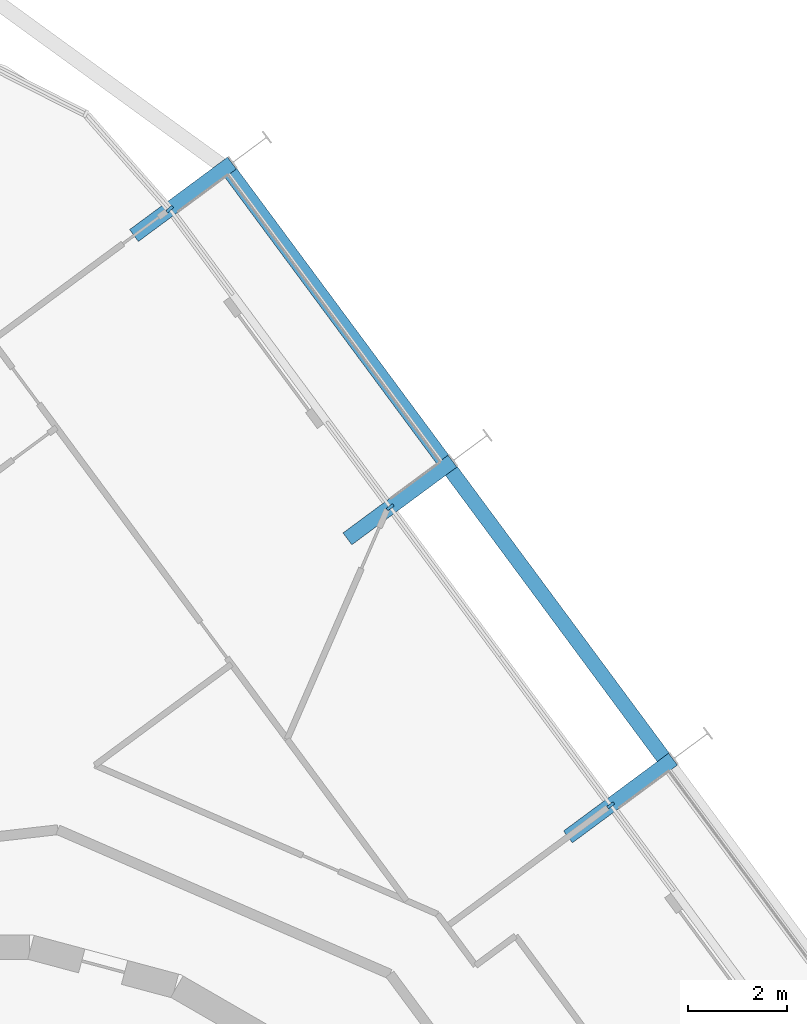
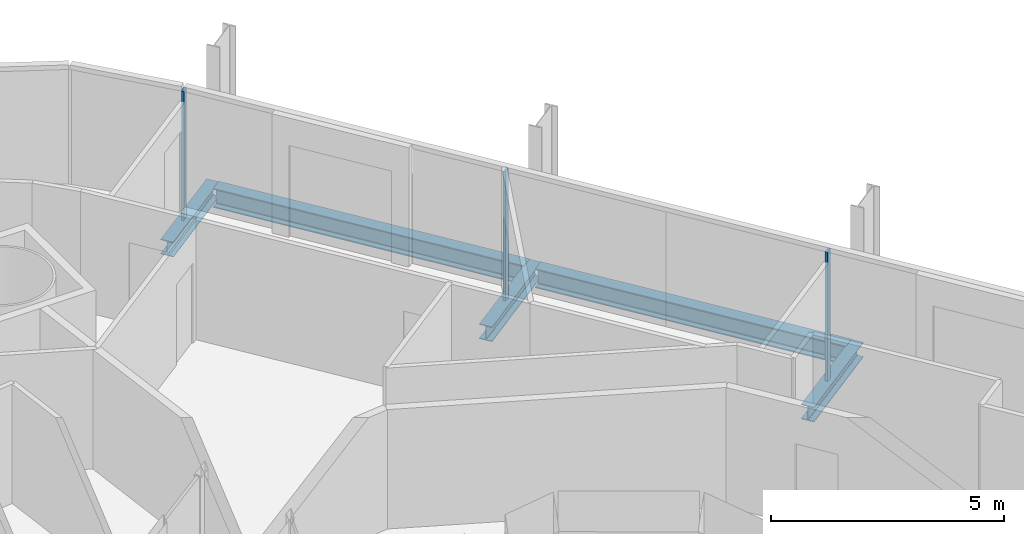
# One storey, part 11 of 24: 5 beams, 3 members, 2 elements without a shape of their own.
"""IFC4 building model written with IfcOpenShell, lengths in metres."""

import ifcopenshell
import ifcopenshell.guid

model = None  # the IFC model being written
_history = None  # IfcOwnerHistory: only IFC2X3 demands one
_inside = {}  # id of a spatial element -> (the spatial element, [elements in it])
_under = {}  # id of a project, library or spatial element -> (it, [spatial elements below it])
_declared = {}  # id of a project -> (the project, [libraries it declares])
_typed = {}  # id of a type object -> (the type object, [elements of that type])
_made_of = {}  # id of a material, layer set ... -> (it, [elements and type objects made of it])


def new_model(schema):
    """Start an empty IFC model of exactly this schema.

    Asked for "IFC4X3", IfcOpenShell would pick the latest addendum, in which some entities
    have other attributes; the version numbers below select the first issue.
    IFC2X3 requires an IfcOwnerHistory on every rooted entity: one is made here for all.
    """
    global model, _history
    if schema == "IFC4X3":
        model = ifcopenshell.file(schema_version=(4, 3, 0, 0))
    else:
        model = ifcopenshell.file(schema=schema)
    _inside.clear()
    _under.clear()
    _declared.clear()
    _typed.clear()
    _made_of.clear()
    _history = None
    if model.schema == "IFC2X3":
        org = make("IfcOrganization", Name="unknown")
        user = make(
            "IfcPersonAndOrganization",
            ThePerson=make("IfcPerson", FamilyName="unknown"),
            TheOrganization=org,
        )
        app = make(
            "IfcApplication",
            ApplicationDeveloper=org,
            Version="unknown",
            ApplicationFullName="unknown",
            ApplicationIdentifier="unknown",
        )
        _history = make(
            "IfcOwnerHistory",
            OwningUser=user,
            OwningApplication=app,
            ChangeAction="ADDED",
            CreationDate=0,
        )
    return model


def make(cls, **values):
    """One entity of the class cls with the attributes given. An attribute that is None is left unset."""
    return model.create_entity(
        cls, **{name: value for name, value in values.items() if value is not None}
    )


def rooted(cls, **values):
    """An entity with a GlobalId (a new one), such as an element, a storey or a relation."""
    return make(cls, GlobalId=ifcopenshell.guid.new(), OwnerHistory=_history, **values)


def si_unit(unit_type, name, prefix=None):
    """IfcSIUnit, for example si_unit("LENGTHUNIT", "METRE", prefix="MILLI")."""
    return make("IfcSIUnit", UnitType=unit_type, Prefix=prefix, Name=name)


def assignment(units):
    """IfcUnitAssignment: the units of a project."""
    return None if units is None else make("IfcUnitAssignment", Units=units)


def point(xyz):
    """IfcCartesianPoint."""
    return None if xyz is None else make("IfcCartesianPoint", Coordinates=xyz)


def direction(xyz):
    """IfcDirection."""
    return None if xyz is None else make("IfcDirection", DirectionRatios=xyz)


def frame(location, z_axis=None, x_axis=None):
    """IfcAxis2Placement3D, a coordinate frame: its origin and axes. An axis left out is left unset."""
    return make(
        "IfcAxis2Placement3D",
        Location=point(location),
        Axis=direction(z_axis),
        RefDirection=direction(x_axis),
    )


def frame_2d(location, x_axis=None):
    """IfcAxis2Placement2D, a coordinate frame in the plane: its origin and x axis."""
    return make(
        "IfcAxis2Placement2D", Location=point(location), RefDirection=direction(x_axis)
    )


def origin():
    """The frame at (0, 0, 0) with its axes left unset."""
    return frame((0.0, 0.0, 0.0))


def origin_2d():
    """The frame at (0, 0) in the plane with its x axis left unset."""
    return frame_2d((0.0, 0.0))


def place(relative_to, where):
    """IfcLocalPlacement: puts the frame where relative to a parent placement (None: the world)."""
    return make(
        "IfcLocalPlacement", PlacementRelTo=relative_to, RelativePlacement=where
    )


def context(
    kind, dimensions, precision=None, world=None, true_north=None, identifier=None
):
    """IfcGeometricRepresentationContext, for example the 3D "Model" context."""
    return make(
        "IfcGeometricRepresentationContext",
        ContextIdentifier=identifier,
        ContextType=kind,
        CoordinateSpaceDimension=dimensions,
        Precision=precision,
        WorldCoordinateSystem=world,
        TrueNorth=true_north,
    )


def subcontext(parent, identifier, kind, view, scale=None):
    """IfcGeometricRepresentationSubContext, for example "Body" below "Model"."""
    return make(
        "IfcGeometricRepresentationSubContext",
        ContextIdentifier=identifier,
        ContextType=kind,
        ParentContext=parent,
        TargetScale=scale,
        TargetView=view,
    )


def project(units=None, contexts=None):
    """IfcProject with its units and contexts."""
    return rooted(
        "IfcProject",
        Name="project",
        RepresentationContexts=contexts,
        UnitsInContext=assignment(units),
    )


def spatial(cls, under=None, at=None, **own):
    """A site, building, storey or space (cls), placed at a placement, below another one or the project."""
    s = rooted(cls, ObjectPlacement=at, **own)
    if under is not None:
        _under.setdefault(under.id(), (under, []))[1].append(s)
    return s


def profile(cls, at=None, kind="AREA", **sizes):
    """A parametric profile (cls). Its sizes go by their IFC names, for example OverallWidth=200.0."""
    return make(cls, ProfileType=kind, Position=at, **sizes)


def rectangle(**sizes):
    """IfcRectangleProfileDef."""
    return profile("IfcRectangleProfileDef", **sizes)


def i_section(**sizes):
    """IfcIShapeProfileDef."""
    return profile("IfcIShapeProfileDef", **sizes)


def extrude(swept, where, along, depth):
    """IfcExtrudedAreaSolid: the profile swept, set in the frame where, extruded along a direction by depth."""
    return make(
        "IfcExtrudedAreaSolid",
        SweptArea=swept,
        Position=where,
        ExtrudedDirection=direction(along),
        Depth=depth,
    )


def shape(context_of_items, identifier, shape_type, items):
    """IfcShapeRepresentation: the items that make up one representation, for example the "Body"."""
    return make(
        "IfcShapeRepresentation",
        ContextOfItems=context_of_items,
        RepresentationIdentifier=identifier,
        RepresentationType=shape_type,
        Items=items,
    )


def material(Name=None, Category=None):
    """IfcMaterial."""
    return make("IfcMaterial", Name=Name, Category=Category)


def layer(
    of_material, thickness, ventilated=None, Name=None, Category=None, Priority=None
):
    """IfcMaterialLayer: one layer of a wall or slab, of a material (None: an air gap)."""
    return make(
        "IfcMaterialLayer",
        Material=of_material,
        LayerThickness=thickness,
        IsVentilated=ventilated,
        Name=Name,
        Category=Category,
        Priority=Priority,
    )


def layer_set(layers, Name=None):
    """IfcMaterialLayerSet."""
    return make("IfcMaterialLayerSet", MaterialLayers=layers, LayerSetName=Name)


def material_profile(
    of_material, cross_section, Name=None, Category=None, Priority=None
):
    """IfcMaterialProfile: a cross section and its material."""
    return make(
        "IfcMaterialProfile",
        Name=Name,
        Material=of_material,
        Profile=cross_section,
        Priority=Priority,
        Category=Category,
    )


def profile_set(profiles, Name=None, composite=None):
    """IfcMaterialProfileSet."""
    return make(
        "IfcMaterialProfileSet",
        Name=Name,
        MaterialProfiles=profiles,
        CompositeProfile=composite,
    )


def made_of(thing, what):
    """Note that an element or type object is made of a material, layer set ...; save() writes the relation."""
    if what is not None:
        _made_of.setdefault(what.id(), (what, []))[1].append(thing)
    return thing


def type_object(cls, material=None, **own):
    """A type object (cls), such as IfcWallType, which elements share."""
    return made_of(rooted(cls, **own), material)


def element(
    cls,
    number,
    at=None,
    inside=None,
    cuts=None,
    type_object=None,
    material=None,
    context=None,
    identifier="Body",
    shape_type=None,
    held_by="IfcProductDefinitionShape",
    body=None,
    shapes=None,
    **own,
):
    """One element of the class cls, such as IfcWall. Its Tag is "e" and its number.

    at: its placement. inside: the storey or other place that contains it. cuts: it is an
    opening in that element (IfcRelVoidsElement). A single representation is given by context,
    identifier, shape_type and body (its items); several are given by shapes. held_by: the class
    of the entity that holds the representations. save() writes the other relations.
    """
    e = rooted(cls, Tag="e%d" % number, ObjectPlacement=at, **own)
    if body is not None:
        shapes = [shape(context, identifier, shape_type, body)]
    if shapes is not None:
        e.Representation = make(held_by, Representations=shapes)
    if inside is not None:
        _inside.setdefault(inside.id(), (inside, []))[1].append(e)
    if cuts is not None:
        rooted(
            "IfcRelVoidsElement", RelatingBuildingElement=cuts, RelatedOpeningElement=e
        )
    if type_object is not None:
        _typed.setdefault(type_object.id(), (type_object, []))[1].append(e)
    return made_of(e, material)


def aggregate(whole, parts):
    """IfcRelAggregates: a whole, such as a stair, and the parts it consists of."""
    return rooted("IfcRelAggregates", RelatingObject=whole, RelatedObjects=parts)


def save(model, path):
    """Write the relations noted so far, then the file.

    IfcRelAggregates (storeys below a building ...), IfcRelContainedInSpatialStructure (elements
    in a storey), IfcRelDefinesByType, IfcRelAssociatesMaterial and IfcRelDeclares: one each for
    every whole, place, type object, material and project.
    """
    for whole, parts in _under.values():
        aggregate(whole, parts)
    for where, things in _inside.values():
        rooted(
            "IfcRelContainedInSpatialStructure",
            RelatedElements=things,
            RelatingStructure=where,
        )
    for kind, things in _typed.values():
        rooted("IfcRelDefinesByType", RelatedObjects=things, RelatingType=kind)
    for what, things in _made_of.values():
        rooted("IfcRelAssociatesMaterial", RelatedObjects=things, RelatingMaterial=what)
    for by, libraries in _declared.values():
        rooted("IfcRelDeclares", RelatingContext=by, RelatedDefinitions=libraries)
    model.write(path)


model = new_model("IFC4")

# Units and contexts
model_context = context("Model", 3, precision=1e-05, world=origin(), true_north=direction((0.0, 1.0)))
body_context = subcontext(model_context, "Body", "Model", "MODEL_VIEW")
ifc_project = project(units=[si_unit("LENGTHUNIT", "METRE"), si_unit("AREAUNIT", "SQUARE_METRE"), si_unit("VOLUMEUNIT", "CUBIC_METRE"), si_unit("PLANEANGLEUNIT", "RADIAN"), si_unit("MASSUNIT", "GRAM", prefix="KILO")], contexts=[model_context])

# Site, building, storey
site_placement = place(None, origin())
site = spatial("IfcSite", under=ifc_project, at=site_placement, CompositionType="ELEMENT")
building_placement = place(site_placement, origin())
building = spatial("IfcBuilding", under=site, at=building_placement, Name="Spindle Arch Residences", CompositionType="ELEMENT")
storey_placement = place(building_placement, frame((0.0, 0.0, 94.199951171875)))
storey = spatial("IfcBuildingStorey", under=building, at=storey_placement, Name="L22", CompositionType="ELEMENT", Elevation=94.199951171875)

# Curtain wall, members
ifc_material_1 = material(Name="Aluminium bronze unitised frame with tinted glass", Category="aluminium")
ifc_layer_1 = layer(ifc_material_1, 0.159912109375)
ifc_layer_set_1 = layer_set([ifc_layer_1], Name="CW-C typical residential unitised wall")
curtain_wall_type_1 = type_object("IfcCurtainWallType", Name="CW-C typical residential unitised wall", PredefinedType="NOTDEFINED", material=ifc_layer_set_1)
curtain_wall_1_placement = place(storey_placement, origin())
curtain_wall_1 = element("IfcCurtainWall", 1, at=curtain_wall_1_placement, inside=storey, type_object=curtain_wall_type_1, Name="CW-C L22 run 2", PredefinedType="NOTDEFINED")
ifc_material_2 = material(Name="Aluminium bronze anodised mullion", Category="aluminium")
ifc_material_profile_1 = material_profile(ifc_material_2, rectangle(XDim=0.159912109375, YDim=0.06005859375, at=origin_2d()), Name="MU 60x160")
ifc_profile_set_1 = profile_set([ifc_material_profile_1], Name="Aluminium bronze anodised mullion")
member_type = type_object("IfcMemberType", Name="Bronze mullion 60x160", PredefinedType="MULLION", material=ifc_profile_set_1)
member_1_placement = place(storey_placement, frame((13.308349609375, 14.5244140625, -0.3798828125), z_axis=(0.0, 0.0, 1.0), x_axis=(-0.803856860617, -0.594822786751, 0.0)))
member_1 = element("IfcMember", 2, at=member_1_placement, type_object=member_type, Name="CW-C mullion 08", PredefinedType="MULLION", context=body_context, shape_type="SweptSolid", body=[
    extrude(rectangle(XDim=0.159912109375, YDim=0.06005859375, at=origin_2d()), origin(), (0.0, 0.0, 1.0), 3.3798828125),
])
member_2_placement = place(storey_placement, frame((8.8359375, 20.568603515625, -0.3798828125), z_axis=(0.0, 0.0, 1.0), x_axis=(-0.803856860617, -0.594822786751, 0.0)))
member_2 = element("IfcMember", 3, at=member_2_placement, type_object=member_type, Name="CW-C mullion 09", PredefinedType="MULLION", context=body_context, shape_type="SweptSolid", body=[
    extrude(rectangle(XDim=0.159912109375, YDim=0.06005859375, at=origin_2d()), origin(), (0.0, 0.0, 1.0), 3.3798828125),
])
aggregate(curtain_wall_1, [member_1, member_2])

# Curtain wall, member
ifc_material_3 = material(Name="Aluminium bronze unitised frame with tinted glass", Category="aluminium")
ifc_layer_2 = layer(ifc_material_3, 0.159912109375)
ifc_layer_set_2 = layer_set([ifc_layer_2], Name="CW-D corner wall on the fillet arcs")
curtain_wall_type_2 = type_object("IfcCurtainWallType", Name="CW-D corner wall on the fillet arcs", PredefinedType="NOTDEFINED", material=ifc_layer_set_2)
curtain_wall_2_placement = place(storey_placement, origin())
curtain_wall_2 = element("IfcCurtainWall", 4, at=curtain_wall_2_placement, inside=storey, type_object=curtain_wall_type_2, Name="CW-D L22 run 3", PredefinedType="NOTDEFINED")
member_3_placement = place(storey_placement, frame((4.36376953125, 26.612548828125, -0.3798828125), z_axis=(0.0, 0.0, 1.0), x_axis=(-0.750646632877, -0.660703891733, 0.0)))
member_3 = element("IfcMember", 5, at=member_3_placement, type_object=member_type, Name="CW-D mullion 00", PredefinedType="MULLION", context=body_context, shape_type="SweptSolid", body=[
    extrude(rectangle(XDim=0.159912109375, YDim=0.06005859375, at=origin_2d()), origin(), (0.0, 0.0, 1.0), 3.3798828125),
])
aggregate(curtain_wall_2, [member_3])

# Beams
ifc_material_4 = material(Name="Steel S460ML, intumescent coating R 120", Category="steel")
ifc_material_profile_2 = material_profile(ifc_material_4, i_section(OverallWidth=0.300048828125, OverallDepth=0.5, WebThickness=0.014404296875, FlangeThickness=0.028076171875, FilletRadius=0.027099609375, at=origin_2d()), Name="HEB 500")
ifc_profile_set_2 = profile_set([ifc_material_profile_2], Name="Steel S460ML, intumescent coating R 120")
beam_type_1 = type_object("IfcBeamType", Name="Exoskeleton edge beam HEB 500", PredefinedType="BEAM", material=ifc_profile_set_2)
beam_1_placement = place(storey_placement, frame((14.383056640625, 15.481201171875, -0.6298828125), z_axis=(-0.594826923516, 0.803853799556, 0.0), x_axis=(-0.803853799556, -0.594826923516, 0.0)))
element("IfcBeam", 6, at=beam_1_placement, inside=storey, type_object=beam_type_1, Name="Exoskeleton edge beam 9", PredefinedType="BEAM", context=body_context, shape_type="SweptSolid", body=[
    extrude(i_section(OverallWidth=0.300048828125, OverallDepth=0.5, WebThickness=0.014404296875, FlangeThickness=0.028076171875, FilletRadius=0.027099609375, at=origin_2d()), origin(), (0.0, 0.0, 1.0), 7.259033203125),
])
beam_2_placement = place(storey_placement, frame((9.91064453125, 21.525390625, -0.6298828125), z_axis=(-0.594821272041, 0.803857981441, 0.0), x_axis=(-0.803857981441, -0.594821272041, 0.0)))
element("IfcBeam", 7, at=beam_2_placement, inside=storey, type_object=beam_type_1, Name="Exoskeleton edge beam 10", PredefinedType="BEAM", context=body_context, shape_type="SweptSolid", body=[
    extrude(i_section(OverallWidth=0.300048828125, OverallDepth=0.5, WebThickness=0.014404296875, FlangeThickness=0.028076171875, FilletRadius=0.027099609375, at=origin_2d()), origin(), (0.0, 0.0, 1.0), 7.2587890625),
])
ifc_material_5 = material(Name="Steel S460ML, intumescent coating R 120", Category="steel")
ifc_material_profile_3 = material_profile(ifc_material_5, i_section(OverallWidth=0.300048828125, OverallDepth=0.389892578125, WebThickness=0.010986328125, FlangeThickness=0.01904296875, FilletRadius=0.027099609375, at=origin_2d()), Name="HEA 400")
ifc_profile_set_3 = profile_set([ifc_material_profile_3], Name="Steel S460ML, intumescent coating R 120")
beam_type_2 = type_object("IfcBeamType", Name="Floor outrigger HEA 400", PredefinedType="BEAM", material=ifc_profile_set_3)
for number, where, z_axis, x_axis, name in (
    (8, (14.570556640625, 15.458251953125, -0.574951171875), (-0.803896519326, -0.594769187345, 0.0), (0.594769187345, -0.803896519326, 0.0), "Floor outrigger 9"),
    (9, (10.09814453125, 21.502197265625, -0.574951171875), (-0.803896519326, -0.594769187345, 0.0), (0.594769187345, -0.803896519326, 0.0), "Floor outrigger 10"),
):
    element("IfcBeam", number, at=place(storey_placement, frame(where, z_axis=z_axis, x_axis=x_axis)), inside=storey, type_object=beam_type_2, Name=name, PredefinedType="BEAM", context=body_context, shape_type="SweptSolid", body=[
        extrude(i_section(OverallWidth=0.300048828125, OverallDepth=0.389892578125, WebThickness=0.010986328125, FlangeThickness=0.01904296875, FilletRadius=0.027099609375, at=origin_2d()), origin(), (0.0, 0.0, 1.0), 2.650146484375),
    ])
beam_3_placement = place(storey_placement, frame((5.625732421875, 27.54638671875, -0.574951171875), z_axis=(-0.80387213449, -0.594802144743, 0.0), x_axis=(0.594802144743, -0.80387213449, 0.0)))
element("IfcBeam", 10, at=beam_3_placement, inside=storey, type_object=beam_type_2, Name="Floor outrigger 11", PredefinedType="BEAM", context=body_context, shape_type="SweptSolid", body=[
    extrude(i_section(OverallWidth=0.300048828125, OverallDepth=0.389892578125, WebThickness=0.010986328125, FlangeThickness=0.01904296875, FilletRadius=0.027099609375, at=origin_2d()), origin(), (0.0, 0.0, 1.0), 2.470947265625),
])

save(model, "model.ifc")
